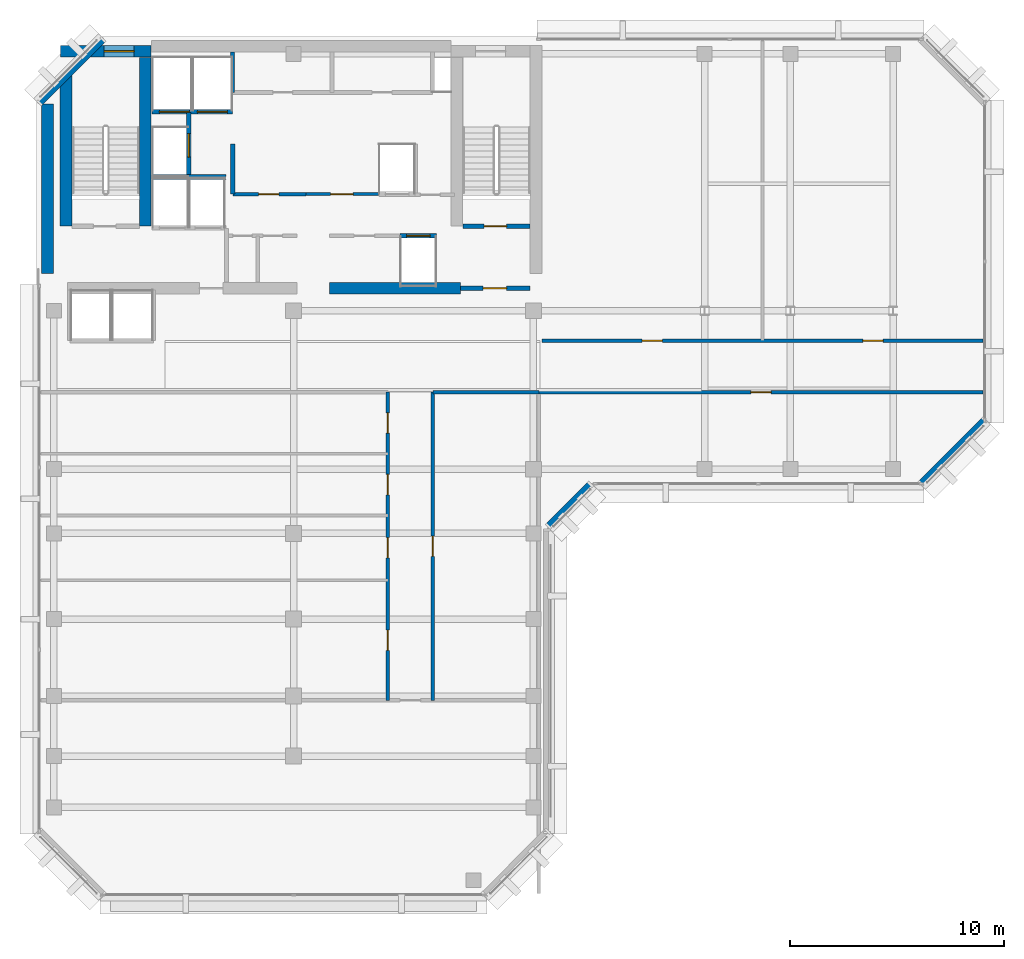
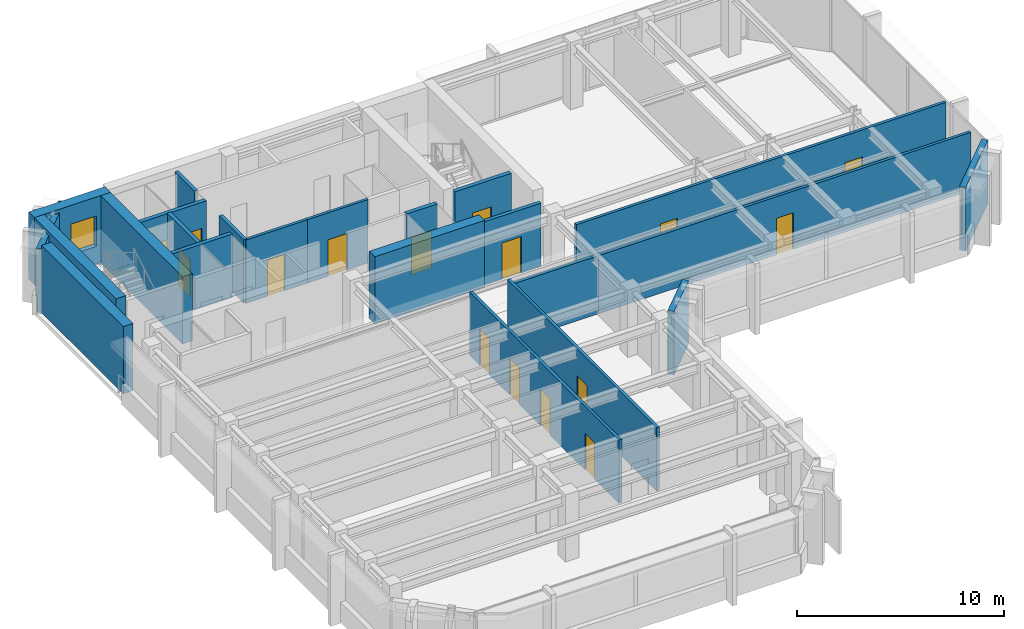
# One storey, part 7 of 11: 23 walls, 16 doors, 1 window, 17 openings.
"""IFC4 building model written with IfcOpenShell, lengths in metres."""

import ifcopenshell
import ifcopenshell.guid

model = None  # the IFC model being written
_history = None  # IfcOwnerHistory: only IFC2X3 demands one
_inside = {}  # id of a spatial element -> (the spatial element, [elements in it])
_under = {}  # id of a project, library or spatial element -> (it, [spatial elements below it])
_declared = {}  # id of a project -> (the project, [libraries it declares])
_typed = {}  # id of a type object -> (the type object, [elements of that type])
_made_of = {}  # id of a material, layer set ... -> (it, [elements and type objects made of it])


def new_model(schema):
    """Start an empty IFC model of exactly this schema.

    Asked for "IFC4X3", IfcOpenShell would pick the latest addendum, in which some entities
    have other attributes; the version numbers below select the first issue.
    IFC2X3 requires an IfcOwnerHistory on every rooted entity: one is made here for all.
    """
    global model, _history
    if schema == "IFC4X3":
        model = ifcopenshell.file(schema_version=(4, 3, 0, 0))
    else:
        model = ifcopenshell.file(schema=schema)
    _inside.clear()
    _under.clear()
    _declared.clear()
    _typed.clear()
    _made_of.clear()
    _history = None
    if model.schema == "IFC2X3":
        org = make("IfcOrganization", Name="unknown")
        user = make(
            "IfcPersonAndOrganization",
            ThePerson=make("IfcPerson", FamilyName="unknown"),
            TheOrganization=org,
        )
        app = make(
            "IfcApplication",
            ApplicationDeveloper=org,
            Version="unknown",
            ApplicationFullName="unknown",
            ApplicationIdentifier="unknown",
        )
        _history = make(
            "IfcOwnerHistory",
            OwningUser=user,
            OwningApplication=app,
            ChangeAction="ADDED",
            CreationDate=0,
        )
    return model


def make(cls, **values):
    """One entity of the class cls with the attributes given. An attribute that is None is left unset."""
    return model.create_entity(
        cls, **{name: value for name, value in values.items() if value is not None}
    )


def rooted(cls, **values):
    """An entity with a GlobalId (a new one), such as an element, a storey or a relation."""
    return make(cls, GlobalId=ifcopenshell.guid.new(), OwnerHistory=_history, **values)


def si_unit(unit_type, name, prefix=None):
    """IfcSIUnit, for example si_unit("LENGTHUNIT", "METRE", prefix="MILLI")."""
    return make("IfcSIUnit", UnitType=unit_type, Prefix=prefix, Name=name)


def assignment(units):
    """IfcUnitAssignment: the units of a project."""
    return None if units is None else make("IfcUnitAssignment", Units=units)


def point(xyz):
    """IfcCartesianPoint."""
    return None if xyz is None else make("IfcCartesianPoint", Coordinates=xyz)


def direction(xyz):
    """IfcDirection."""
    return None if xyz is None else make("IfcDirection", DirectionRatios=xyz)


def frame(location, z_axis=None, x_axis=None):
    """IfcAxis2Placement3D, a coordinate frame: its origin and axes. An axis left out is left unset."""
    return make(
        "IfcAxis2Placement3D",
        Location=point(location),
        Axis=direction(z_axis),
        RefDirection=direction(x_axis),
    )


def frame_2d(location, x_axis=None):
    """IfcAxis2Placement2D, a coordinate frame in the plane: its origin and x axis."""
    return make(
        "IfcAxis2Placement2D", Location=point(location), RefDirection=direction(x_axis)
    )


def origin():
    """The frame at (0, 0, 0) with its axes left unset."""
    return frame((0.0, 0.0, 0.0))


def place(relative_to, where):
    """IfcLocalPlacement: puts the frame where relative to a parent placement (None: the world)."""
    return make(
        "IfcLocalPlacement", PlacementRelTo=relative_to, RelativePlacement=where
    )


def context(
    kind, dimensions, precision=None, world=None, true_north=None, identifier=None
):
    """IfcGeometricRepresentationContext, for example the 3D "Model" context."""
    return make(
        "IfcGeometricRepresentationContext",
        ContextIdentifier=identifier,
        ContextType=kind,
        CoordinateSpaceDimension=dimensions,
        Precision=precision,
        WorldCoordinateSystem=world,
        TrueNorth=true_north,
    )


def subcontext(parent, identifier, kind, view, scale=None):
    """IfcGeometricRepresentationSubContext, for example "Body" below "Model"."""
    return make(
        "IfcGeometricRepresentationSubContext",
        ContextIdentifier=identifier,
        ContextType=kind,
        ParentContext=parent,
        TargetScale=scale,
        TargetView=view,
    )


def project(units=None, contexts=None):
    """IfcProject with its units and contexts."""
    return rooted(
        "IfcProject",
        Name="project",
        RepresentationContexts=contexts,
        UnitsInContext=assignment(units),
    )


def spatial(cls, under=None, at=None, **own):
    """A site, building, storey or space (cls), placed at a placement, below another one or the project."""
    s = rooted(cls, ObjectPlacement=at, **own)
    if under is not None:
        _under.setdefault(under.id(), (under, []))[1].append(s)
    return s


def profile(cls, at=None, kind="AREA", **sizes):
    """A parametric profile (cls). Its sizes go by their IFC names, for example OverallWidth=200.0."""
    return make(cls, ProfileType=kind, Position=at, **sizes)


def rectangle(**sizes):
    """IfcRectangleProfileDef."""
    return profile("IfcRectangleProfileDef", **sizes)


def extrude(swept, where, along, depth):
    """IfcExtrudedAreaSolid: the profile swept, set in the frame where, extruded along a direction by depth."""
    return make(
        "IfcExtrudedAreaSolid",
        SweptArea=swept,
        Position=where,
        ExtrudedDirection=direction(along),
        Depth=depth,
    )


def shape(context_of_items, identifier, shape_type, items):
    """IfcShapeRepresentation: the items that make up one representation, for example the "Body"."""
    return make(
        "IfcShapeRepresentation",
        ContextOfItems=context_of_items,
        RepresentationIdentifier=identifier,
        RepresentationType=shape_type,
        Items=items,
    )


def material(Name=None, Category=None):
    """IfcMaterial."""
    return make("IfcMaterial", Name=Name, Category=Category)


def layer(
    of_material, thickness, ventilated=None, Name=None, Category=None, Priority=None
):
    """IfcMaterialLayer: one layer of a wall or slab, of a material (None: an air gap)."""
    return make(
        "IfcMaterialLayer",
        Material=of_material,
        LayerThickness=thickness,
        IsVentilated=ventilated,
        Name=Name,
        Category=Category,
        Priority=Priority,
    )


def layer_set(layers, Name=None):
    """IfcMaterialLayerSet."""
    return make("IfcMaterialLayerSet", MaterialLayers=layers, LayerSetName=Name)


def made_of(thing, what):
    """Note that an element or type object is made of a material, layer set ...; save() writes the relation."""
    if what is not None:
        _made_of.setdefault(what.id(), (what, []))[1].append(thing)
    return thing


def type_object(cls, material=None, **own):
    """A type object (cls), such as IfcWallType, which elements share."""
    return made_of(rooted(cls, **own), material)


def element(
    cls,
    number,
    at=None,
    inside=None,
    cuts=None,
    type_object=None,
    material=None,
    context=None,
    identifier="Body",
    shape_type=None,
    held_by="IfcProductDefinitionShape",
    body=None,
    shapes=None,
    **own,
):
    """One element of the class cls, such as IfcWall. Its Tag is "e" and its number.

    at: its placement. inside: the storey or other place that contains it. cuts: it is an
    opening in that element (IfcRelVoidsElement). A single representation is given by context,
    identifier, shape_type and body (its items); several are given by shapes. held_by: the class
    of the entity that holds the representations. save() writes the other relations.
    """
    e = rooted(cls, Tag="e%d" % number, ObjectPlacement=at, **own)
    if body is not None:
        shapes = [shape(context, identifier, shape_type, body)]
    if shapes is not None:
        e.Representation = make(held_by, Representations=shapes)
    if inside is not None:
        _inside.setdefault(inside.id(), (inside, []))[1].append(e)
    if cuts is not None:
        rooted(
            "IfcRelVoidsElement", RelatingBuildingElement=cuts, RelatedOpeningElement=e
        )
    if type_object is not None:
        _typed.setdefault(type_object.id(), (type_object, []))[1].append(e)
    return made_of(e, material)


def fill(opening, filler):
    """IfcRelFillsElement: the door or window that sits in an opening."""
    return rooted(
        "IfcRelFillsElement",
        RelatingOpeningElement=opening,
        RelatedBuildingElement=filler,
    )


def aggregate(whole, parts):
    """IfcRelAggregates: a whole, such as a stair, and the parts it consists of."""
    return rooted("IfcRelAggregates", RelatingObject=whole, RelatedObjects=parts)


def save(model, path):
    """Write the relations noted so far, then the file.

    IfcRelAggregates (storeys below a building ...), IfcRelContainedInSpatialStructure (elements
    in a storey), IfcRelDefinesByType, IfcRelAssociatesMaterial and IfcRelDeclares: one each for
    every whole, place, type object, material and project.
    """
    for whole, parts in _under.values():
        aggregate(whole, parts)
    for where, things in _inside.values():
        rooted(
            "IfcRelContainedInSpatialStructure",
            RelatedElements=things,
            RelatingStructure=where,
        )
    for kind, things in _typed.values():
        rooted("IfcRelDefinesByType", RelatedObjects=things, RelatingType=kind)
    for what, things in _made_of.values():
        rooted("IfcRelAssociatesMaterial", RelatedObjects=things, RelatingMaterial=what)
    for by, libraries in _declared.values():
        rooted("IfcRelDeclares", RelatingContext=by, RelatedDefinitions=libraries)
    model.write(path)


model = new_model("IFC4")

# Units and contexts
model_context = context("Model", 3, precision=1e-05, world=origin(), true_north=direction((0.0, 1.0)))
body_context = subcontext(model_context, "Body", "Model", "MODEL_VIEW")
ifc_project = project(units=[si_unit("LENGTHUNIT", "METRE"), si_unit("AREAUNIT", "SQUARE_METRE"), si_unit("VOLUMEUNIT", "CUBIC_METRE"), si_unit("PLANEANGLEUNIT", "RADIAN"), si_unit("MASSUNIT", "GRAM", prefix="KILO")], contexts=[model_context])

# Site, building, storey
site_placement = place(None, origin())
site = spatial("IfcSite", under=ifc_project, at=site_placement, CompositionType="ELEMENT")
building_placement = place(site_placement, origin())
building = spatial("IfcBuilding", under=site, at=building_placement, Name="Kefirva Bronze Tower", CompositionType="ELEMENT")
storey_placement = place(building_placement, frame((0.0, 0.0, 276.2099609375)))
storey = spatial("IfcBuildingStorey", under=building, at=storey_placement, Name="L67", CompositionType="ELEMENT", Elevation=276.2099609375)

# Wall, opening, door
ifc_material_1 = material(Name="Gypsum acoustic partition")
ifc_layer_1 = layer(ifc_material_1, 0.14990234375, Name="Gypsum acoustic partition")
ifc_layer_set_1 = layer_set([ifc_layer_1], Name="Gypsum acoustic partition")
wall_type_1 = type_object("IfcWallType", Name="Executive Suite Partition 150mm", PredefinedType="PARTITIONING", material=ifc_layer_set_1)
wall_1_placement = place(storey_placement, frame((12.580078125, 38.64990234375, 0.0), z_axis=(0.0, 0.0, 1.0), x_axis=(1.0, 0.0, 0.0)))
wall_1 = element("IfcWall", 1, at=wall_1_placement, inside=storey, type_object=wall_type_1, Name="L67 Partition W-L67-RECMP2", PredefinedType="PARTITIONING", context=body_context, shape_type="SweptSolid", body=[
    extrude(rectangle(XDim=3.3798828125, YDim=0.14990234375, at=frame_2d((1.68994140625, 0.0))), origin(), (0.0, 0.0, 1.0), 3.739990234375),
])
opening_1_placement = place(wall_1_placement, frame((2.199951171875, 0.0, 0.0), z_axis=(0.0, 0.0, 1.0), x_axis=(-1.0, 0.0, 0.0)))
opening_1 = element("IfcOpeningElement", 2, at=opening_1_placement, cuts=wall_1, Name="Opening L67-D-RECMP2", PredefinedType="OPENING", context=body_context, shape_type="SweptSolid", body=[
    extrude(rectangle(XDim=1.050048828125, YDim=2.14990234375, at=frame_2d((0.52490234375, 1.074951171875))), frame((0.0, 0.0849609375, 0.0), z_axis=(0.0, -1.0, 0.0), x_axis=(1.0, 0.0, 0.0)), (0.0, 0.0, 1.0), 0.169921875),
])
ifc_material_2 = material(Name="Acoustic hardwood oak", Category="wood")
door_type_1 = type_object("IfcDoorType", Name="Executive & Boardroom Door 1050x2150", OperationType="NOTDEFINED", PredefinedType="DOOR", material=ifc_material_2)
door_1_placement = place(opening_1_placement, origin())
door_1 = element("IfcDoor", 3, at=door_1_placement, inside=storey, type_object=door_type_1, Name="Door L67-D-RECMP2", OperationType="SINGLE_SWING_RIGHT", OverallHeight=2.14990234375, OverallWidth=1.050048828125, PredefinedType="DOOR", context=body_context, shape_type="SweptSolid", body=[
    extrude(rectangle(XDim=1.050048828125, YDim=2.14990234375, at=frame_2d((0.52490234375, 1.074951171875))), frame((0.0, 0.02490234375, 0.0), z_axis=(0.0, -1.0, 0.0), x_axis=(1.0, 0.0, 0.0)), (0.0, 0.0, 1.0), 0.050048828125),
])
fill(opening_1, door_1)

ifc_material_3 = material(Name="Gypsum fireboard shaftwall")
ifc_layer_2 = layer(ifc_material_3, 0.219970703125, Name="Gypsum fireboard shaftwall")
ifc_layer_set_2 = layer_set([ifc_layer_2], Name="Gypsum fireboard shaftwall")
wall_type_2 = type_object("IfcWallType", Name="Fire-Rated Shaft Enclosure Wall 220mm", PredefinedType="PARTITIONING", material=ifc_layer_set_2)
wall_2_placement = place(storey_placement, frame((19.89990234375, 37.14990234375, 0.0), z_axis=(0.0, 0.0, 1.0), x_axis=(1.0, 0.0, 0.0)))
wall_2 = element("IfcWall", 4, at=wall_2_placement, inside=storey, type_object=wall_type_2, Name="L67 Partition W-L67-ST2S", PredefinedType="PARTITIONING", context=body_context, shape_type="SweptSolid", body=[
    extrude(rectangle(XDim=3.150146484375, YDim=0.219970703125, at=frame_2d((1.5751953125, 0.0))), origin(), (0.0, 0.0, 1.0), 3.739990234375),
])
opening_2_placement = place(wall_2_placement, frame((2.050048828125, 0.0, 0.0), z_axis=(0.0, 0.0, 1.0), x_axis=(-1.0, 0.0, 0.0)))
opening_2 = element("IfcOpeningElement", 5, at=opening_2_placement, cuts=wall_2, Name="Opening L67-D003", PredefinedType="OPENING", context=body_context, shape_type="SweptSolid", body=[
    extrude(rectangle(XDim=1.050048828125, YDim=2.14990234375, at=frame_2d((0.52490234375, 1.074951171875))), frame((0.0, 0.1201171875, 0.0), z_axis=(0.0, -1.0, 0.0), x_axis=(1.0, 0.0, 0.0)), (0.0, 0.0, 1.0), 0.239990234375),
])
ifc_material_4 = material(Name="Painted galvanized steel", Category="steel")
door_type_2 = type_object("IfcDoorType", Name="Fire Stair Enclosure Door 1050x2150 FD90S", OperationType="NOTDEFINED", PredefinedType="DOOR", material=ifc_material_4)
door_2_placement = place(opening_2_placement, origin())
door_2 = element("IfcDoor", 6, at=door_2_placement, inside=storey, type_object=door_type_2, Name="Door L67-D003", OperationType="SINGLE_SWING_LEFT", OverallHeight=2.14990234375, OverallWidth=1.050048828125, PredefinedType="DOOR", context=body_context, shape_type="SweptSolid", body=[
    extrude(rectangle(XDim=1.050048828125, YDim=2.14990234375, at=frame_2d((0.52490234375, 1.074951171875))), frame((0.0, 0.02490234375, 0.0), z_axis=(0.0, -1.0, 0.0), x_axis=(1.0, 0.0, 0.0)), (0.0, 0.0, 1.0), 0.050048828125),
])
fill(opening_2, door_2)

# Wall
wall_3_placement = place(storey_placement, frame((5.3798828125, 39.449951171875, 0.0), z_axis=(0.0, 0.0, 1.0), x_axis=(1.0, 0.0, 0.0)))
element("IfcWall", 7, at=wall_3_placement, inside=storey, type_object=wall_type_2, Name="L67 Partition W-L67-FFN", PredefinedType="PARTITIONING", context=body_context, shape_type="SweptSolid", body=[
    extrude(rectangle(XDim=3.460205078125, YDim=0.219970703125, at=frame_2d((1.72998046875, 0.0))), origin(), (0.0, 0.0, 1.0), 3.739990234375),
])

# Wall, openings, doors
wall_4_placement = place(storey_placement, frame((5.3798828125, 42.5, 0.0), z_axis=(0.0, 0.0, 1.0), x_axis=(1.0, 0.0, 0.0)))
wall_4 = element("IfcWall", 8, at=wall_4_placement, inside=storey, type_object=wall_type_2, Name="L67 Partition W-L67-SVS", PredefinedType="PARTITIONING", context=body_context, shape_type="SweptSolid", body=[
    extrude(rectangle(XDim=3.77001953125, YDim=0.219970703125, at=frame_2d((1.885009765625, 0.0))), origin(), (0.0, 0.0, 1.0), 3.739990234375),
])
opening_3_placement = place(wall_4_placement, frame((1.75, 0.0, 0.0), z_axis=(0.0, 0.0, 1.0), x_axis=(-1.0, 0.0, 0.0)))
opening_3 = element("IfcOpeningElement", 9, at=opening_3_placement, cuts=wall_4, Name="Opening L67-LD-SV1", PredefinedType="OPENING", context=body_context, shape_type="SweptSolid", body=[
    extrude(rectangle(XDim=1.39990234375, YDim=2.199951171875, at=frame_2d((0.699951171875, 1.10009765625))), frame((0.0, 0.1201171875, 0.0), z_axis=(0.0, -1.0, 0.0), x_axis=(1.0, 0.0, 0.0)), (0.0, 0.0, 1.0), 0.239990234375),
])
opening_4_placement = place(wall_4_placement, frame((3.52978515625, 0.0, 0.0), z_axis=(0.0, 0.0, 1.0), x_axis=(-1.0, 0.0, 0.0)))
opening_4 = element("IfcOpeningElement", 10, at=opening_4_placement, cuts=wall_4, Name="Opening L67-LD-SV2", PredefinedType="OPENING", context=body_context, shape_type="SweptSolid", body=[
    extrude(rectangle(XDim=1.39990234375, YDim=2.199951171875, at=frame_2d((0.699951171875, 1.10009765625))), frame((0.0, 0.1201171875, 0.0), z_axis=(0.0, -1.0, 0.0), x_axis=(1.0, 0.0, 0.0)), (0.0, 0.0, 1.0), 0.239990234375),
])
ifc_material_5 = material(Name="Stainless steel 316", Category="steel")
door_type_3 = type_object("IfcDoorType", Name="Goods Lift Bi-Parting Sliding Door 1400x2200", OperationType="SLIDING_TO_LEFT", PredefinedType="DOOR", material=ifc_material_5)
door_3_placement = place(opening_3_placement, origin())
door_3 = element("IfcDoor", 11, at=door_3_placement, inside=storey, type_object=door_type_3, Name="Door L67-LD-SV1", OperationType="SLIDING_TO_LEFT", OverallHeight=2.199951171875, OverallWidth=1.39990234375, PredefinedType="DOOR", context=body_context, shape_type="SweptSolid", body=[
    extrude(rectangle(XDim=1.39990234375, YDim=2.199951171875, at=frame_2d((0.699951171875, 1.10009765625))), frame((0.0, 0.02490234375, 0.0), z_axis=(0.0, -1.0, 0.0), x_axis=(1.0, 0.0, 0.0)), (0.0, 0.0, 1.0), 0.050048828125),
])
fill(opening_3, door_3)
door_4_placement = place(opening_4_placement, origin())
door_4 = element("IfcDoor", 12, at=door_4_placement, inside=storey, type_object=door_type_3, Name="Door L67-LD-SV2", OperationType="SLIDING_TO_LEFT", OverallHeight=2.199951171875, OverallWidth=1.39990234375, PredefinedType="DOOR", context=body_context, shape_type="SweptSolid", body=[
    extrude(rectangle(XDim=1.39990234375, YDim=2.199951171875, at=frame_2d((0.699951171875, 1.10009765625))), frame((0.0, 0.02490234375, 0.0), z_axis=(0.0, -1.0, 0.0), x_axis=(1.0, 0.0, 0.0)), (0.0, 0.0, 1.0), 0.050048828125),
])
fill(opening_4, door_4)

# Wall, opening, door
wall_5_placement = place(storey_placement, frame((7.10009765625, 39.52001953125, 0.0), z_axis=(0.0, 0.0, 1.0), x_axis=(0.0, 1.0, 0.0)))
wall_5 = element("IfcWall", 13, at=wall_5_placement, inside=storey, type_object=wall_type_2, Name="L67 Partition W-L67-HP3E", PredefinedType="PARTITIONING", context=body_context, shape_type="SweptSolid", body=[
    extrude(rectangle(XDim=2.929931640625, YDim=0.219970703125, at=frame_2d((1.46484375, 0.0))), origin(), (0.0, 0.0, 1.0), 3.739990234375),
])
opening_5_placement = place(wall_5_placement, frame((0.85009765625, 0.0, 0.0)))
opening_5 = element("IfcOpeningElement", 14, at=opening_5_placement, cuts=wall_5, Name="Opening L67-LD-HP3", PredefinedType="OPENING", context=body_context, shape_type="SweptSolid", body=[
    extrude(rectangle(XDim=1.10009765625, YDim=2.199951171875, at=frame_2d((0.550048828125, 1.10009765625))), frame((0.0, 0.1201171875, 0.0), z_axis=(0.0, -1.0, 0.0), x_axis=(1.0, 0.0, 0.0)), (0.0, 0.0, 1.0), 0.239990234375),
])
door_type_4 = type_object("IfcDoorType", Name="Passenger Lift Sliding Landing Door 1100x2200", OperationType="SLIDING_TO_LEFT", PredefinedType="DOOR", material=ifc_material_5)
door_5_placement = place(opening_5_placement, origin())
door_5 = element("IfcDoor", 15, at=door_5_placement, inside=storey, type_object=door_type_4, Name="Door L67-LD-HP3", OperationType="SLIDING_TO_LEFT", OverallHeight=2.199951171875, OverallWidth=1.10009765625, PredefinedType="DOOR", context=body_context, shape_type="SweptSolid", body=[
    extrude(rectangle(XDim=1.10009765625, YDim=2.199951171875, at=frame_2d((0.550048828125, 1.10009765625))), frame((0.0, 0.02490234375, 0.0), z_axis=(0.0, -1.0, 0.0), x_axis=(1.0, 0.0, 0.0)), (0.0, 0.0, 1.0), 0.050048828125),
])
fill(opening_5, door_5)

# Wall
wall_6_placement = place(storey_placement, frame((9.159912109375, 38.64990234375, 0.0), z_axis=(0.0, 0.0, 1.0), x_axis=(0.0, 1.0, 0.0)))
element("IfcWall", 16, at=wall_6_placement, inside=storey, type_object=wall_type_2, Name="L67 Partition W-L67-LP3W", PredefinedType="PARTITIONING", context=body_context, shape_type="SweptSolid", body=[
    extrude(rectangle(XDim=2.35009765625, YDim=0.199951171875, at=frame_2d((1.175048828125, 0.0))), origin(), (0.0, 0.0, 1.0), 3.739990234375),
])

# Wall, opening, door
wall_7_placement = place(storey_placement, frame((16.97998046875, 36.699951171875, 0.0), z_axis=(0.0, 0.0, 1.0), x_axis=(1.0, 0.0, 0.0)))
wall_7 = element("IfcWall", 17, at=wall_7_placement, inside=storey, type_object=wall_type_2, Name="L67 Partition W-L67-HPS", PredefinedType="PARTITIONING", context=body_context, shape_type="SweptSolid", body=[
    extrude(rectangle(XDim=1.699951171875, YDim=0.219970703125, at=frame_2d((0.85009765625, 0.0))), origin(), (0.0, 0.0, 1.0), 3.739990234375),
])
opening_6_placement = place(wall_7_placement, frame((0.300048828125, 0.0, 0.0)))
opening_6 = element("IfcOpeningElement", 18, at=opening_6_placement, cuts=wall_7, Name="Opening L67-LD-HP1", PredefinedType="OPENING", context=body_context, shape_type="SweptSolid", body=[
    extrude(rectangle(XDim=1.10009765625, YDim=2.199951171875, at=frame_2d((0.550048828125, 1.10009765625))), frame((0.0, 0.1201171875, 0.0), z_axis=(0.0, -1.0, 0.0), x_axis=(1.0, 0.0, 0.0)), (0.0, 0.0, 1.0), 0.239990234375),
])
door_6_placement = place(opening_6_placement, origin())
door_6 = element("IfcDoor", 19, at=door_6_placement, inside=storey, type_object=door_type_4, Name="Door L67-LD-HP1", OperationType="SLIDING_TO_LEFT", OverallHeight=2.199951171875, OverallWidth=1.10009765625, PredefinedType="DOOR", context=body_context, shape_type="SweptSolid", body=[
    extrude(rectangle(XDim=1.10009765625, YDim=2.199951171875, at=frame_2d((0.550048828125, 1.10009765625))), frame((0.0, 0.02490234375, 0.0), z_axis=(0.0, -1.0, 0.0), x_axis=(1.0, 0.0, 0.0)), (0.0, 0.0, 1.0), 0.050048828125),
])
fill(opening_6, door_6)

ifc_material_6 = material(Name="Gypsum fireboard barrier")
ifc_layer_3 = layer(ifc_material_6, 0.199951171875, Name="Gypsum fireboard barrier")
ifc_layer_set_3 = layer_set([ifc_layer_3], Name="Gypsum fireboard barrier")
wall_type_3 = type_object("IfcWallType", Name="Firefighting Lobby Barrier Wall 200mm", PredefinedType="PARTITIONING", material=ifc_layer_set_3)
wall_8_placement = place(storey_placement, frame((19.800048828125, 34.25, 0.0), z_axis=(0.0, 0.0, 1.0), x_axis=(1.0, 0.0, 0.0)))
wall_8 = element("IfcWall", 20, at=wall_8_placement, inside=storey, type_object=wall_type_3, Name="L67 Partition W-L67-ST2F", PredefinedType="PARTITIONING", context=body_context, shape_type="SweptSolid", body=[
    extrude(rectangle(XDim=3.25, YDim=0.199951171875, at=frame_2d((1.625, 0.0))), origin(), (0.0, 0.0, 1.0), 3.739990234375),
])
opening_7_placement = place(wall_8_placement, frame((2.150146484375, 0.0, 0.0), z_axis=(0.0, 0.0, 1.0), x_axis=(-1.0, 0.0, 0.0)))
opening_7 = element("IfcOpeningElement", 21, at=opening_7_placement, cuts=wall_8, Name="Opening L67-D004", PredefinedType="OPENING", context=body_context, shape_type="SweptSolid", body=[
    extrude(rectangle(XDim=1.10009765625, YDim=2.14990234375, at=frame_2d((0.550048828125, 1.074951171875))), frame((0.0, 0.10986328125, 0.0), z_axis=(0.0, -1.0, 0.0), x_axis=(1.0, 0.0, 0.0)), (0.0, 0.0, 1.0), 0.219970703125),
])
door_type_5 = type_object("IfcDoorType", Name="Firefighting Lobby Smoke Door 1100x2150 FD60S", OperationType="NOTDEFINED", PredefinedType="DOOR", material=ifc_material_4)
door_7_placement = place(opening_7_placement, origin())
door_7 = element("IfcDoor", 22, at=door_7_placement, inside=storey, type_object=door_type_5, Name="Door L67-D004", OperationType="SINGLE_SWING_RIGHT", OverallHeight=2.14990234375, OverallWidth=1.10009765625, PredefinedType="DOOR", context=body_context, shape_type="SweptSolid", body=[
    extrude(rectangle(XDim=1.10009765625, YDim=2.14990234375, at=frame_2d((0.550048828125, 1.074951171875))), frame((0.0, 0.02490234375, 0.0), z_axis=(0.0, -1.0, 0.0), x_axis=(1.0, 0.0, 0.0)), (0.0, 0.0, 1.0), 0.050048828125),
])
fill(opening_7, door_7)

# Walls
ifc_material_7 = material(Name="Precast concrete C40/50", Category="concrete")
ifc_layer_4 = layer(ifc_material_7, 0.320068359375, Name="Precast concrete C40/50")
ifc_layer_set_4 = layer_set([ifc_layer_4], Name="Precast concrete C40/50")
wall_type_4 = type_object("IfcWallType", Name="Precast Insulated Exterior Wall 320mm", PredefinedType="SOLIDWALL", material=ifc_layer_set_4)
wall_9_placement = place(storey_placement, frame((23.92578125, 23.152099609375, 0.0), z_axis=(0.0, 0.0, 1.0), x_axis=(0.707106781187, 0.707106781187, 0.0)))
element("IfcWall", 23, at=wall_9_placement, inside=storey, type_object=wall_type_4, Name="L67 Exterior Facade Wall 3", PredefinedType="SOLIDWALL", context=body_context, shape_type="SweptSolid", body=[
    extrude(rectangle(XDim=2.71826171875, YDim=0.320068359375, at=frame_2d((1.359130859375, 0.0))), origin(), (0.0, 0.0, 1.0), 3.739990234375),
])
for number, where, z_axis, x_axis, name in (
    (24, (41.32568359375, 25.152099609375, 0.0), (0.0, 0.0, 1.0), (0.707136318428, 0.707077242712, 0.0), "L67 Exterior Facade Wall 4"),
    (25, (3.07421875, 45.847900390625, 0.0), (0.0, 0.0, 1.0), (-0.707106781187, -0.707106781187, 0.0), "L67 Exterior Facade Wall 6"),
):
    element("IfcWall", number, at=place(storey_placement, frame(where, z_axis=z_axis, x_axis=x_axis)), inside=storey, type_object=wall_type_4, Name=name, PredefinedType="SOLIDWALL", context=body_context, shape_type="SweptSolid", body=[
        extrude(rectangle(XDim=4.132568359375, YDim=0.320068359375, at=frame_2d((2.06640625, 0.0))), origin(), (0.0, 0.0, 1.0), 3.739990234375),
    ])

# Wall, opening, door
ifc_layer_5 = layer(ifc_material_1, 0.159912109375, Name="Gypsum acoustic partition")
ifc_layer_set_5 = layer_set([ifc_layer_5], Name="Gypsum acoustic partition")
wall_type_5 = type_object("IfcWallType", Name="Protected Corridor Partition 160mm", PredefinedType="PARTITIONING", material=ifc_layer_set_5)
wall_10_placement = place(storey_placement, frame((9.159912109375, 38.64990234375, 0.0), z_axis=(0.0, 0.0, 1.0), x_axis=(1.0, 0.0, 0.0)))
wall_10 = element("IfcWall", 26, at=wall_10_placement, inside=storey, type_object=wall_type_5, Name="L67 Partition W-L67-RECLP2", PredefinedType="PARTITIONING", context=body_context, shape_type="SweptSolid", body=[
    extrude(rectangle(XDim=3.420166015625, YDim=0.159912109375, at=frame_2d((1.7099609375, 0.0))), origin(), (0.0, 0.0, 1.0), 3.739990234375),
])
opening_8_placement = place(wall_10_placement, frame((2.14990234375, 0.0, 0.0), z_axis=(0.0, 0.0, 1.0), x_axis=(-1.0, 0.0, 0.0)))
opening_8 = element("IfcOpeningElement", 27, at=opening_8_placement, cuts=wall_10, Name="Opening L67-D-RECLP2", PredefinedType="OPENING", context=body_context, shape_type="SweptSolid", body=[
    extrude(rectangle(XDim=0.949951171875, YDim=2.14990234375, at=frame_2d((0.47509765625, 1.074951171875))), frame((0.0, 0.08984375, 0.0), z_axis=(0.0, -1.0, 0.0), x_axis=(1.0, 0.0, 0.0)), (0.0, 0.0, 1.0), 0.179931640625),
])
door_type_6 = type_object("IfcDoorType", Name="Office & Meeting Room Door 950x2150", OperationType="NOTDEFINED", PredefinedType="DOOR", material=ifc_material_2)
door_8_placement = place(opening_8_placement, origin())
door_8 = element("IfcDoor", 28, at=door_8_placement, inside=storey, type_object=door_type_6, Name="Door L67-D-RECLP2", OperationType="SINGLE_SWING_RIGHT", OverallHeight=2.14990234375, OverallWidth=0.949951171875, PredefinedType="DOOR", context=body_context, shape_type="SweptSolid", body=[
    extrude(rectangle(XDim=0.949951171875, YDim=2.14990234375, at=frame_2d((0.47509765625, 1.074951171875))), frame((0.0, 0.02490234375, 0.0), z_axis=(0.0, -1.0, 0.0), x_axis=(1.0, 0.0, 0.0)), (0.0, 0.0, 1.0), 0.050048828125),
])
fill(opening_8, door_8)

# Wall, openings, doors
wall_11_placement = place(storey_placement, frame((16.39990234375, 15.0, 0.0), z_axis=(0.0, 0.0, 1.0), x_axis=(0.0, 1.0, 0.0)))
wall_11 = element("IfcWall", 29, at=wall_11_placement, inside=storey, type_object=wall_type_5, Name="L67 Partition W-L67-SWCORW", PredefinedType="PARTITIONING", context=body_context, shape_type="SweptSolid", body=[
    extrude(rectangle(XDim=14.39990234375, YDim=0.159912109375, at=frame_2d((7.199951171875, 0.0))), origin(), (0.0, 0.0, 1.0), 3.739990234375),
])
opening_9_placement = place(wall_11_placement, frame((3.282958984375, 0.0, 0.0), z_axis=(0.0, 0.0, 1.0), x_axis=(-1.0, 0.0, 0.0)))
opening_9 = element("IfcOpeningElement", 30, at=opening_9_placement, cuts=wall_11, Name="Opening L67-D-SW1", PredefinedType="OPENING", context=body_context, shape_type="SweptSolid", body=[
    extrude(rectangle(XDim=0.949951171875, YDim=2.14990234375, at=frame_2d((0.47509765625, 1.074951171875))), frame((0.0, 0.08984375, 0.0), z_axis=(0.0, -1.0, 0.0), x_axis=(1.0, 0.0, 0.0)), (0.0, 0.0, 1.0), 0.179931640625),
])
opening_10_placement = place(wall_11_placement, frame((7.60302734375, 0.0, 0.0), z_axis=(0.0, 0.0, 1.0), x_axis=(-1.0, 0.0, 0.0)))
opening_10 = element("IfcOpeningElement", 31, at=opening_10_placement, cuts=wall_11, Name="Opening L67-D-SW2", PredefinedType="OPENING", context=body_context, shape_type="SweptSolid", body=[
    extrude(rectangle(XDim=0.949951171875, YDim=2.14990234375, at=frame_2d((0.47509765625, 1.074951171875))), frame((0.0, 0.08984375, 0.0), z_axis=(0.0, -1.0, 0.0), x_axis=(1.0, 0.0, 0.0)), (0.0, 0.0, 1.0), 0.179931640625),
])
opening_11_placement = place(wall_11_placement, frame((10.554931640625, 0.0, 0.0), z_axis=(0.0, 0.0, 1.0), x_axis=(-1.0, 0.0, 0.0)))
opening_11 = element("IfcOpeningElement", 32, at=opening_11_placement, cuts=wall_11, Name="Opening L67-D-SW3", PredefinedType="OPENING", context=body_context, shape_type="SweptSolid", body=[
    extrude(rectangle(XDim=0.949951171875, YDim=2.14990234375, at=frame_2d((0.47509765625, 1.074951171875))), frame((0.0, 0.08984375, 0.0), z_axis=(0.0, -1.0, 0.0), x_axis=(1.0, 0.0, 0.0)), (0.0, 0.0, 1.0), 0.179931640625),
])
opening_12_placement = place(wall_11_placement, frame((13.43505859375, 0.0, 0.0), z_axis=(0.0, 0.0, 1.0), x_axis=(-1.0, 0.0, 0.0)))
opening_12 = element("IfcOpeningElement", 33, at=opening_12_placement, cuts=wall_11, Name="Opening L67-D-SW4", PredefinedType="OPENING", context=body_context, shape_type="SweptSolid", body=[
    extrude(rectangle(XDim=0.949951171875, YDim=2.14990234375, at=frame_2d((0.47509765625, 1.074951171875))), frame((0.0, 0.08984375, 0.0), z_axis=(0.0, -1.0, 0.0), x_axis=(1.0, 0.0, 0.0)), (0.0, 0.0, 1.0), 0.179931640625),
])
door_9_placement = place(opening_9_placement, origin())
door_9 = element("IfcDoor", 34, at=door_9_placement, inside=storey, type_object=door_type_6, Name="Door L67-D-SW1", OperationType="SINGLE_SWING_RIGHT", OverallHeight=2.14990234375, OverallWidth=0.949951171875, PredefinedType="DOOR", context=body_context, shape_type="SweptSolid", body=[
    extrude(rectangle(XDim=0.949951171875, YDim=2.14990234375, at=frame_2d((0.47509765625, 1.074951171875))), frame((0.0, 0.02490234375, 0.0), z_axis=(0.0, -1.0, 0.0), x_axis=(1.0, 0.0, 0.0)), (0.0, 0.0, 1.0), 0.050048828125),
])
fill(opening_9, door_9)
door_10_placement = place(opening_10_placement, origin())
door_10 = element("IfcDoor", 35, at=door_10_placement, inside=storey, type_object=door_type_6, Name="Door L67-D-SW2", OperationType="SINGLE_SWING_LEFT", OverallHeight=2.14990234375, OverallWidth=0.949951171875, PredefinedType="DOOR", context=body_context, shape_type="SweptSolid", body=[
    extrude(rectangle(XDim=0.949951171875, YDim=2.14990234375, at=frame_2d((0.47509765625, 1.074951171875))), frame((0.0, 0.02490234375, 0.0), z_axis=(0.0, -1.0, 0.0), x_axis=(1.0, 0.0, 0.0)), (0.0, 0.0, 1.0), 0.050048828125),
])
fill(opening_10, door_10)
door_11_placement = place(opening_11_placement, origin())
door_11 = element("IfcDoor", 36, at=door_11_placement, inside=storey, type_object=door_type_6, Name="Door L67-D-SW3", OperationType="SINGLE_SWING_RIGHT", OverallHeight=2.14990234375, OverallWidth=0.949951171875, PredefinedType="DOOR", context=body_context, shape_type="SweptSolid", body=[
    extrude(rectangle(XDim=0.949951171875, YDim=2.14990234375, at=frame_2d((0.47509765625, 1.074951171875))), frame((0.0, 0.02490234375, 0.0), z_axis=(0.0, -1.0, 0.0), x_axis=(1.0, 0.0, 0.0)), (0.0, 0.0, 1.0), 0.050048828125),
])
fill(opening_11, door_11)
door_12_placement = place(opening_12_placement, origin())
door_12 = element("IfcDoor", 37, at=door_12_placement, inside=storey, type_object=door_type_6, Name="Door L67-D-SW4", OperationType="SINGLE_SWING_LEFT", OverallHeight=2.14990234375, OverallWidth=0.949951171875, PredefinedType="DOOR", context=body_context, shape_type="SweptSolid", body=[
    extrude(rectangle(XDim=0.949951171875, YDim=2.14990234375, at=frame_2d((0.47509765625, 1.074951171875))), frame((0.0, 0.02490234375, 0.0), z_axis=(0.0, -1.0, 0.0), x_axis=(1.0, 0.0, 0.0)), (0.0, 0.0, 1.0), 0.050048828125),
])
fill(opening_12, door_12)

# Wall, opening, door
wall_12_placement = place(storey_placement, frame((18.5, 15.0, 0.0), z_axis=(0.0, 0.0, 1.0), x_axis=(0.0, 1.0, 0.0)))
wall_12 = element("IfcWall", 38, at=wall_12_placement, inside=storey, type_object=wall_type_5, Name="L67 Partition W-L67-SECORE", PredefinedType="PARTITIONING", context=body_context, shape_type="SweptSolid", body=[
    extrude(rectangle(XDim=14.39990234375, YDim=0.159912109375, at=frame_2d((7.199951171875, 0.0))), origin(), (0.0, 0.0, 1.0), 3.739990234375),
])
opening_13_placement = place(wall_12_placement, frame((6.72509765625, 0.0, 0.0)))
opening_13 = element("IfcOpeningElement", 39, at=opening_13_placement, cuts=wall_12, Name="Opening L67-D-SE1", PredefinedType="OPENING", context=body_context, shape_type="SweptSolid", body=[
    extrude(rectangle(XDim=0.949951171875, YDim=2.14990234375, at=frame_2d((0.47509765625, 1.074951171875))), frame((0.0, 0.08984375, 0.0), z_axis=(0.0, -1.0, 0.0), x_axis=(1.0, 0.0, 0.0)), (0.0, 0.0, 1.0), 0.179931640625),
])
door_13_placement = place(opening_13_placement, origin())
door_13 = element("IfcDoor", 40, at=door_13_placement, inside=storey, type_object=door_type_6, Name="Door L67-D-SE1", OperationType="SINGLE_SWING_RIGHT", OverallHeight=2.14990234375, OverallWidth=0.949951171875, PredefinedType="DOOR", context=body_context, shape_type="SweptSolid", body=[
    extrude(rectangle(XDim=0.949951171875, YDim=2.14990234375, at=frame_2d((0.47509765625, 1.074951171875))), frame((0.0, 0.02490234375, 0.0), z_axis=(0.0, -1.0, 0.0), x_axis=(1.0, 0.0, 0.0)), (0.0, 0.0, 1.0), 0.050048828125),
])
fill(opening_13, door_13)

# Wall
wall_13_placement = place(storey_placement, frame((18.5, 29.39990234375, 0.0), z_axis=(0.0, 0.0, 1.0), x_axis=(1.0, 0.0, 0.0)))
element("IfcWall", 41, at=wall_13_placement, inside=storey, type_object=wall_type_5, Name="L67 Partition W-L67-NET", PredefinedType="PARTITIONING", context=body_context, shape_type="SweptSolid", body=[
    extrude(rectangle(XDim=4.949951171875, YDim=0.159912109375, at=frame_2d((2.47509765625, 0.0))), origin(), (0.0, 0.0, 1.0), 3.425048828125),
])

# Wall, opening, door
wall_14_placement = place(storey_placement, frame((23.449951171875, 29.39990234375, 0.0), z_axis=(0.0, 0.0, 1.0), x_axis=(1.0, 0.0, 0.0)))
wall_14 = element("IfcWall", 42, at=wall_14_placement, inside=storey, type_object=wall_type_5, Name="L67 Partition W-L67-EWS", PredefinedType="PARTITIONING", context=body_context, shape_type="SweptSolid", body=[
    extrude(rectangle(XDim=20.760009765625, YDim=0.159912109375, at=frame_2d((10.3798828125, 0.0))), origin(), (0.0, 0.0, 1.0), 3.425048828125),
])
opening_14_placement = place(wall_14_placement, frame((10.85498046875, 0.0, 0.0), z_axis=(0.0, 0.0, 1.0), x_axis=(-1.0, 0.0, 0.0)))
opening_14 = element("IfcOpeningElement", 43, at=opening_14_placement, cuts=wall_14, Name="Opening L67-D-ES1", PredefinedType="OPENING", context=body_context, shape_type="SweptSolid", body=[
    extrude(rectangle(XDim=0.949951171875, YDim=2.14990234375, at=frame_2d((0.47509765625, 1.074951171875))), frame((0.0, 0.08984375, 0.0), z_axis=(0.0, -1.0, 0.0), x_axis=(1.0, 0.0, 0.0)), (0.0, 0.0, 1.0), 0.179931640625),
])
door_14_placement = place(opening_14_placement, origin())
door_14 = element("IfcDoor", 44, at=door_14_placement, inside=storey, type_object=door_type_6, Name="Door L67-D-ES1", OperationType="SINGLE_SWING_LEFT", OverallHeight=2.14990234375, OverallWidth=0.949951171875, PredefinedType="DOOR", context=body_context, shape_type="SweptSolid", body=[
    extrude(rectangle(XDim=0.949951171875, YDim=2.14990234375, at=frame_2d((0.47509765625, 1.074951171875))), frame((0.0, 0.02490234375, 0.0), z_axis=(0.0, -1.0, 0.0), x_axis=(1.0, 0.0, 0.0)), (0.0, 0.0, 1.0), 0.050048828125),
])
fill(opening_14, door_14)

# Wall, openings, doors
wall_15_placement = place(storey_placement, frame((23.60009765625, 31.800048828125, 0.0), z_axis=(0.0, 0.0, 1.0), x_axis=(1.0, 0.0, 0.0)))
wall_15 = element("IfcWall", 45, at=wall_15_placement, inside=storey, type_object=wall_type_5, Name="L67 Partition W-L67-EWN", PredefinedType="PARTITIONING", context=body_context, shape_type="SweptSolid", body=[
    extrude(rectangle(XDim=20.60986328125, YDim=0.159912109375, at=frame_2d((10.304931640625, 0.0))), origin(), (0.0, 0.0, 1.0), 3.739990234375),
])
opening_15_placement = place(wall_15_placement, frame((4.677490234375, 0.0, 0.0)))
opening_15 = element("IfcOpeningElement", 46, at=opening_15_placement, cuts=wall_15, Name="Opening L67-D-EN1", PredefinedType="OPENING", context=body_context, shape_type="SweptSolid", body=[
    extrude(rectangle(XDim=0.949951171875, YDim=2.14990234375, at=frame_2d((0.47509765625, 1.074951171875))), frame((0.0, 0.08984375, 0.0), z_axis=(0.0, -1.0, 0.0), x_axis=(1.0, 0.0, 0.0)), (0.0, 0.0, 1.0), 0.179931640625),
])
opening_16_placement = place(wall_15_placement, frame((14.982421875, 0.0, 0.0)))
opening_16 = element("IfcOpeningElement", 47, at=opening_16_placement, cuts=wall_15, Name="Opening L67-D-EN2", PredefinedType="OPENING", context=body_context, shape_type="SweptSolid", body=[
    extrude(rectangle(XDim=0.949951171875, YDim=2.14990234375, at=frame_2d((0.47509765625, 1.074951171875))), frame((0.0, 0.08984375, 0.0), z_axis=(0.0, -1.0, 0.0), x_axis=(1.0, 0.0, 0.0)), (0.0, 0.0, 1.0), 0.179931640625),
])
door_15_placement = place(opening_15_placement, origin())
door_15 = element("IfcDoor", 48, at=door_15_placement, inside=storey, type_object=door_type_6, Name="Door L67-D-EN1", OperationType="SINGLE_SWING_RIGHT", OverallHeight=2.14990234375, OverallWidth=0.949951171875, PredefinedType="DOOR", context=body_context, shape_type="SweptSolid", body=[
    extrude(rectangle(XDim=0.949951171875, YDim=2.14990234375, at=frame_2d((0.47509765625, 1.074951171875))), frame((0.0, 0.02490234375, 0.0), z_axis=(0.0, -1.0, 0.0), x_axis=(1.0, 0.0, 0.0)), (0.0, 0.0, 1.0), 0.050048828125),
])
fill(opening_15, door_15)
door_16_placement = place(opening_16_placement, origin())
door_16 = element("IfcDoor", 49, at=door_16_placement, inside=storey, type_object=door_type_6, Name="Door L67-D-EN2", OperationType="SINGLE_SWING_LEFT", OverallHeight=2.14990234375, OverallWidth=0.949951171875, PredefinedType="DOOR", context=body_context, shape_type="SweptSolid", body=[
    extrude(rectangle(XDim=0.949951171875, YDim=2.14990234375, at=frame_2d((0.47509765625, 1.074951171875))), frame((0.0, 0.02490234375, 0.0), z_axis=(0.0, -1.0, 0.0), x_axis=(1.0, 0.0, 0.0)), (0.0, 0.0, 1.0), 0.050048828125),
])
fill(opening_16, door_16)

# Wall
ifc_material_8 = material(Name="Concrete C50/60", Category="concrete")
ifc_layer_6 = layer(ifc_material_8, 0.550048828125, Name="Concrete C50/60")
ifc_layer_set_6 = layer_set([ifc_layer_6], Name="Concrete C50/60")
wall_type_6 = type_object("IfcWallType", Name="RC Rear Core Exterior Wall 550mm", PredefinedType="SHEAR", material=ifc_layer_set_6)
wall_16_placement = place(storey_placement, frame((0.5, 34.949951171875, 0.0), z_axis=(0.0, 0.0, 1.0), x_axis=(0.0, 1.0, 0.0)))
element("IfcWall", 50, at=wall_16_placement, inside=storey, type_object=wall_type_6, Name="L67 Rear Core West Shear Wall", PredefinedType="SHEAR", context=body_context, shape_type="SweptSolid", body=[
    extrude(rectangle(XDim=7.900146484375, YDim=0.550048828125, at=frame_2d((3.9501953125, 0.0))), origin(), (0.0, 0.0, 1.0), 3.9599609375),
])

# Wall, opening, window
wall_17_placement = place(storey_placement, frame((1.10009765625, 45.320068359375, 0.0), z_axis=(0.0, 0.0, 1.0), x_axis=(1.0, 0.0, 0.0)))
wall_17 = element("IfcWall", 51, at=wall_17_placement, inside=storey, type_object=wall_type_6, Name="L67 Stair 1 North Shear Wall", PredefinedType="SHEAR", context=body_context, shape_type="SweptSolid", body=[
    extrude(rectangle(XDim=4.239990234375, YDim=0.550048828125, at=frame_2d((2.1201171875, 0.0))), origin(), (0.0, 0.0, 1.0), 3.9599609375),
])
opening_17_placement = place(wall_17_placement, frame((2.050048828125, 0.0, 1.050048828125)))
opening_17 = element("IfcOpeningElement", 52, at=opening_17_placement, cuts=wall_17, Name="Opening WN-03", PredefinedType="OPENING", context=body_context, shape_type="SweptSolid", body=[
    extrude(rectangle(XDim=1.39990234375, YDim=1.800048828125, at=frame_2d((0.699951171875, 0.89990234375))), frame((0.0, 0.28515625, 0.0), z_axis=(0.0, -1.0, 0.0), x_axis=(1.0, 0.0, 0.0)), (0.0, 0.0, 1.0), 0.570068359375),
])
ifc_material_9 = material(Name="Laminated low-E double glazing", Category="glass")
window_type = type_object("IfcWindowType", Name="Rear-Core Stair Daylight Window 1400x1800", PartitioningType="SINGLE_PANEL", PredefinedType="WINDOW", material=ifc_material_9)
window_placement = place(opening_17_placement, origin())
window = element("IfcWindow", 53, at=window_placement, inside=storey, type_object=window_type, Name="L67 Stair 1 Daylight Window", OverallHeight=1.800048828125, OverallWidth=1.39990234375, PartitioningType="SINGLE_PANEL", PredefinedType="WINDOW", context=body_context, shape_type="SweptSolid", body=[
    extrude(rectangle(XDim=1.39990234375, YDim=1.800048828125, at=frame_2d((0.699951171875, 0.89990234375))), frame((0.0, 0.030029296875, 0.0), z_axis=(0.0, -1.0, 0.0), x_axis=(1.0, 0.0, 0.0)), (0.0, 0.0, 1.0), 0.06005859375),
])
fill(opening_17, window)

# Walls
ifc_layer_7 = layer(ifc_material_8, 0.550048828125, Name="Concrete C50/60")
ifc_layer_set_7 = layer_set([ifc_layer_7], Name="Concrete C50/60")
wall_type_7 = type_object("IfcWallType", Name="RC Rear Core Interior Wall 550mm", PredefinedType="SHEAR", material=ifc_layer_set_7)
wall_18_placement = place(storey_placement, frame((13.679931640625, 34.25, 0.0), z_axis=(0.0, 0.0, 1.0), x_axis=(1.0, 0.0, 0.0)))
element("IfcWall", 54, at=wall_18_placement, inside=storey, type_object=wall_type_7, Name="L67 Rear Core South-East Shear Wall", PredefinedType="SHEAR", context=body_context, shape_type="SweptSolid", body=[
    extrude(rectangle(XDim=6.1201171875, YDim=0.550048828125, at=frame_2d((3.06005859375, 0.0))), origin(), (0.0, 0.0, 1.0), 3.9599609375),
])
for number, where, z_axis, x_axis, name in (
    (55, (1.3701171875, 37.14990234375, 0.0), (0.0, 0.0, 1.0), (0.0, 1.0, 0.0), "L67 Stair 1 West Shear Wall"),
    (56, (5.070068359375, 37.14990234375, 0.0), (0.0, 0.0, 1.0), (0.0, 1.0, 0.0), "L67 Stair 1 East Shear Wall"),
):
    element("IfcWall", number, at=place(storey_placement, frame(where, z_axis=z_axis, x_axis=x_axis)), inside=storey, type_object=wall_type_7, Name=name, PredefinedType="SHEAR", context=body_context, shape_type="SweptSolid", body=[
        extrude(rectangle(XDim=7.89013671875, YDim=0.550048828125, at=frame_2d((3.945068359375, 0.0))), origin(), (0.0, 0.0, 1.0), 3.9599609375),
    ])
ifc_material_10 = material(Name="Moisture-resistant partition")
ifc_layer_8 = layer(ifc_material_10, 0.179931640625, Name="Moisture-resistant partition")
ifc_layer_set_8 = layer_set([ifc_layer_8], Name="Moisture-resistant partition")
wall_type_8 = type_object("IfcWallType", Name="Sanitary Plumbing Chase Wall 180mm", PredefinedType="PLUMBINGWALL", material=ifc_layer_set_8)
wall_19_placement = place(storey_placement, frame((9.14990234375, 43.39990234375, 0.0), z_axis=(0.0, 0.0, 1.0), x_axis=(0.0, 1.0, 0.0)))
element("IfcWall", 57, at=wall_19_placement, inside=storey, type_object=wall_type_8, Name="L67 Partition W-L67-SVCW", PredefinedType="PLUMBINGWALL", context=body_context, shape_type="SweptSolid", body=[
    extrude(rectangle(XDim=1.880126953125, YDim=0.179931640625, at=frame_2d((0.93994140625, 0.0))), origin(), (0.0, 0.0, 1.0), 3.739990234375),
])

save(model, "model.ifc")
